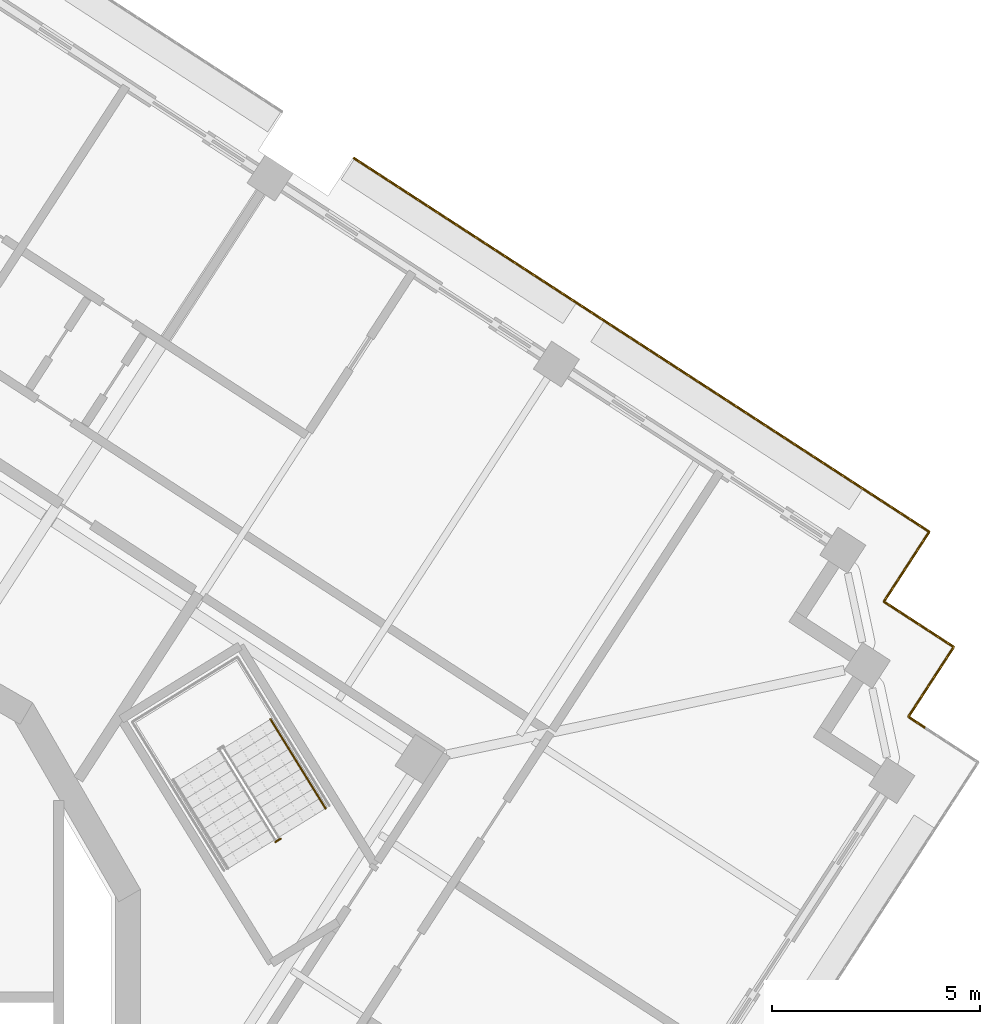
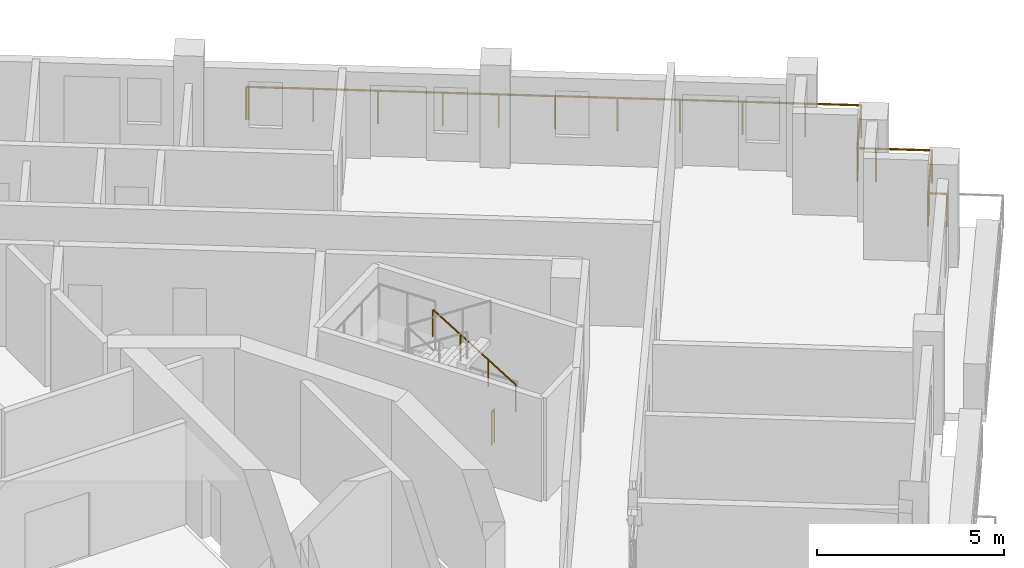
# One storey, part 15 of 17: 3 railings.
"""IFC4 building model written with IfcOpenShell, lengths in metres."""

from ifc_helpers import new_model, si_unit, direction, frame, origin, origin_2d, place, context, subcontext, project, spatial, circle, extrude, material, type_object, element, save


model = new_model("IFC4")

# Units and contexts
model_context = context("Model", 3, precision=1e-05, world=origin(), true_north=direction((0.0, 1.0)))
body_context = subcontext(model_context, "Body", "Model", "MODEL_VIEW")
ifc_project = project(units=[si_unit("LENGTHUNIT", "METRE"), si_unit("AREAUNIT", "SQUARE_METRE"), si_unit("VOLUMEUNIT", "CUBIC_METRE"), si_unit("PLANEANGLEUNIT", "RADIAN"), si_unit("MASSUNIT", "GRAM", prefix="KILO")], contexts=[model_context])

# Site, building, storey
site_placement = place(None, origin())
site = spatial("IfcSite", under=ifc_project, at=site_placement, CompositionType="ELEMENT")
building_placement = place(site_placement, origin())
building = spatial("IfcBuilding", under=site, at=building_placement, Name="Cantera Rosa Tower", CompositionType="ELEMENT")
storey_placement = place(building_placement, frame((0.0, 0.0, 254.10009765625)))
storey = spatial("IfcBuildingStorey", under=building, at=storey_placement, Name="L56", CompositionType="ELEMENT", Elevation=254.10009765625)

# Railings
ifc_material_1 = material(Name="Stainless steel and laminated glass", Category="steel")
railing_type_1 = type_object("IfcRailingType", Name="GUARD 1100", PredefinedType="BALUSTRADE", material=ifc_material_1)
railing_1_placement = place(storey_placement, frame((14.7880859375, 20.14599609375, 0.0)))
element("IfcRailing", 1, at=railing_1_placement, inside=storey, type_object=railing_type_1, Name="GUARD L56-10", PredefinedType="BALUSTRADE", context=body_context, shape_type="SweptSolid", body=[
    extrude(circle(Radius=0.030029296875, at=origin_2d()), frame((0.0, 0.0, 1.070068359375), z_axis=(0.838443616301, -0.544988350595, 0.0), x_axis=(0.544988350595, 0.838443616301, 0.0)), (0.0, 0.0, 1.0), 0.06982421875),
    extrude(circle(Radius=0.030029296875, at=origin_2d()), frame((0.05859375, -0.0380859375, 1.070068359375), z_axis=(0.838657010828, -0.544659910576, 0.0), x_axis=(0.544659910576, 0.838657010828, 0.0)), (0.0, 0.0, 1.0), 5.2001953125),
    extrude(circle(Radius=0.030029296875, at=origin_2d()), frame((4.419677734375, -2.870361328125, 1.070068359375), z_axis=(0.8387001057, -0.544593548161, 0.0), x_axis=(0.544593548161, 0.8387001057, 0.0)), (0.0, 0.0, 1.0), 3.0),
    extrude(circle(Radius=0.030029296875, at=origin_2d()), frame((6.935791015625, -4.504150390625, 1.070068359375), z_axis=(0.838666659313, -0.544645053734, 0.0), x_axis=(0.544645053734, 0.838666659313, 0.0)), (0.0, 0.0, 1.0), 6.7001953125),
    extrude(circle(Radius=0.030029296875, at=origin_2d()), frame((12.554931640625, -8.1533203125, 1.070068359375), z_axis=(0.838651824232, -0.544667896716, 0.0), x_axis=(0.544667896716, 0.838651824232, 0.0)), (0.0, 0.0, 1.0), 1.499755859375),
    extrude(circle(Radius=0.030029296875, at=origin_2d()), frame((13.812744140625, -8.97021484375, 1.070068359375), z_axis=(-0.544593548161, -0.8387001057, 0.0), x_axis=(0.8387001057, -0.544593548161, 0.0)), (0.0, 0.0, 1.0), 1.5),
    extrude(circle(Radius=0.030029296875, at=origin_2d()), frame((12.995849609375, -10.228271484375, 1.070068359375), z_axis=(-0.544627753175, -0.83867789435, 0.0), x_axis=(0.83867789435, -0.544627753175, 0.0)), (0.0, 0.0, 1.0), 0.499755859375),
    extrude(circle(Radius=0.030029296875, at=origin_2d()), frame((12.7236328125, -10.6474609375, 1.070068359375), z_axis=(0.838454772945, -0.544971186143, 0.0), x_axis=(0.544971186143, 0.838454772945, 0.0)), (0.0, 0.0, 1.0), 0.5),
    extrude(circle(Radius=0.030029296875, at=origin_2d()), frame((13.142822265625, -10.919921875, 1.070068359375), z_axis=(0.8387001057, -0.544593548161, 0.0), x_axis=(0.544593548161, 0.8387001057, 0.0)), (0.0, 0.0, 1.0), 1.5),
    extrude(circle(Radius=0.030029296875, at=origin_2d()), frame((14.40087890625, -11.73681640625, 1.070068359375), z_axis=(-0.544593548161, -0.8387001057, 0.0), x_axis=(0.8387001057, -0.544593548161, 0.0)), (0.0, 0.0, 1.0), 1.5),
    extrude(circle(Radius=0.030029296875, at=origin_2d()), frame((13.583984375, -12.994873046875, 1.070068359375), z_axis=(-0.544627753175, -0.83867789435, 0.0), x_axis=(0.83867789435, -0.544627753175, 0.0)), (0.0, 0.0, 1.0), 0.499755859375),
    extrude(circle(Radius=0.030029296875, at=origin_2d()), frame((13.311767578125, -13.4140625, 1.070068359375), z_axis=(0.838454772945, -0.544971186143, 0.0), x_axis=(0.544971186143, 0.838454772945, 0.0)), (0.0, 0.0, 1.0), 0.5),
    extrude(circle(Radius=0.02490234375, at=origin_2d()), origin(), (0.0, 0.0, 1.0), 1.0400390625),
    extrude(circle(Radius=0.02490234375, at=origin_2d()), frame((0.05859375, -0.0380859375, 0.0)), (0.0, 0.0, 1.0), 1.0400390625),
    extrude(circle(Radius=0.02490234375, at=origin_2d()), frame((1.51220703125, -0.982177734375, 0.0)), (0.0, 0.0, 1.0), 1.0400390625),
    extrude(circle(Radius=0.02490234375, at=origin_2d()), frame((2.966064453125, -1.92626953125, 0.0)), (0.0, 0.0, 1.0), 1.0400390625),
    extrude(circle(Radius=0.02490234375, at=origin_2d()), frame((4.419677734375, -2.870361328125, 0.0)), (0.0, 0.0, 1.0), 1.0400390625),
    extrude(circle(Radius=0.02490234375, at=origin_2d()), frame((5.677734375, -3.687255859375, 0.0)), (0.0, 0.0, 1.0), 1.0400390625),
    extrude(circle(Radius=0.02490234375, at=origin_2d()), frame((6.935791015625, -4.504150390625, 0.0)), (0.0, 0.0, 1.0), 1.0400390625),
    extrude(circle(Radius=0.02490234375, at=origin_2d()), frame((8.340576171875, -5.41650390625, 0.0)), (0.0, 0.0, 1.0), 1.0400390625),
    extrude(circle(Radius=0.02490234375, at=origin_2d()), frame((9.745361328125, -6.32861328125, 0.0)), (0.0, 0.0, 1.0), 1.0400390625),
    extrude(circle(Radius=0.02490234375, at=origin_2d()), frame((11.150146484375, -7.240966796875, 0.0)), (0.0, 0.0, 1.0), 1.0400390625),
    extrude(circle(Radius=0.02490234375, at=origin_2d()), frame((12.554931640625, -8.1533203125, 0.0)), (0.0, 0.0, 1.0), 1.0400390625),
    extrude(circle(Radius=0.02490234375, at=origin_2d()), frame((13.812744140625, -8.97021484375, 0.0)), (0.0, 0.0, 1.0), 1.0400390625),
    extrude(circle(Radius=0.02490234375, at=origin_2d()), frame((12.995849609375, -10.228271484375, 0.0)), (0.0, 0.0, 1.0), 1.0400390625),
    extrude(circle(Radius=0.02490234375, at=origin_2d()), frame((12.7236328125, -10.6474609375, 0.0)), (0.0, 0.0, 1.0), 1.0400390625),
    extrude(circle(Radius=0.02490234375, at=origin_2d()), frame((13.142822265625, -10.919921875, 0.0)), (0.0, 0.0, 1.0), 1.0400390625),
    extrude(circle(Radius=0.02490234375, at=origin_2d()), frame((14.40087890625, -11.73681640625, 0.0)), (0.0, 0.0, 1.0), 1.0400390625),
    extrude(circle(Radius=0.02490234375, at=origin_2d()), frame((13.583984375, -12.994873046875, 0.0)), (0.0, 0.0, 1.0), 1.0400390625),
    extrude(circle(Radius=0.02490234375, at=origin_2d()), frame((13.311767578125, -13.4140625, 0.0)), (0.0, 0.0, 1.0), 1.0400390625),
    extrude(circle(Radius=0.02490234375, at=origin_2d()), frame((13.73095703125, -13.6865234375, 0.0)), (0.0, 0.0, 1.0), 1.0400390625),
])
ifc_material_2 = material(Name="Steel S355J2 (EN 10025-2)", Category="steel")
railing_type_2 = type_object("IfcRailingType", Name="STAIR GUARD 1100", PredefinedType="GUARDRAIL", material=ifc_material_2)
railing_2_placement = place(storey_placement, frame((13.025146484375, 3.80517578125, 0.0)))
element("IfcRailing", 2, at=railing_2_placement, inside=storey, type_object=railing_type_2, Name="L56 ST-51 stair guard 3", PredefinedType="GUARDRAIL", context=body_context, shape_type="SweptSolid", body=[
    extrude(circle(Radius=0.02392578125, at=origin_2d()), frame((0.0, 0.0, 1.076171875), z_axis=(-0.851546489876, -0.524279100842, 0.0), x_axis=(0.524279100842, -0.851546489876, 0.0)), (0.0, 0.0, 1.0), 0.14990234375),
    extrude(circle(Radius=0.02099609375, at=origin_2d()), origin(), (0.0, 0.0, 1.0), 1.052001953125),
    extrude(circle(Radius=0.02099609375, at=origin_2d()), frame((-0.127685546875, -0.07861328125, 0.0)), (0.0, 0.0, 1.0), 1.052001953125),
])
ifc_material_3 = material(Name="Steel S355J2 (EN 10025-2)", Category="steel")
railing_type_3 = type_object("IfcRailingType", Name="STAIR HANDRAIL 900", PredefinedType="HANDRAIL", material=ifc_material_3)
railing_3_placement = place(storey_placement, frame((14.105224609375, 4.5302734375, 0.179931640625)))
element("IfcRailing", 3, at=railing_3_placement, inside=storey, type_object=railing_type_3, Name="L56 ST-51 stair handrail 1", PredefinedType="HANDRAIL", context=body_context, shape_type="SweptSolid", body=[
    extrude(circle(Radius=0.02392578125, at=origin_2d()), frame((0.0, 0.0, 0.8759765625), z_axis=(-0.441628529057, 0.715945124149, 0.540728047664), x_axis=(-0.851102330005, -0.524999832248, 0.0)), (0.0, 0.0, 1.0), 2.99560546875),
    extrude(circle(Radius=0.02099609375, at=origin_2d()), origin(), (0.0, 0.0, 1.0), 0.851806640625),
    extrude(circle(Radius=0.02099609375, at=origin_2d()), frame((-0.44091796875, 0.71484375, 0.5400390625)), (0.0, 0.0, 1.0), 0.851806640625),
    extrude(circle(Radius=0.02099609375, at=origin_2d()), frame((-0.882080078125, 1.429931640625, 1.079833984375)), (0.0, 0.0, 1.0), 0.851806640625),
    extrude(circle(Radius=0.02099609375, at=origin_2d()), frame((-1.322998046875, 2.144775390625, 1.619873046875)), (0.0, 0.0, 1.0), 0.851806640625),
])

save(model, "model.ifc")
